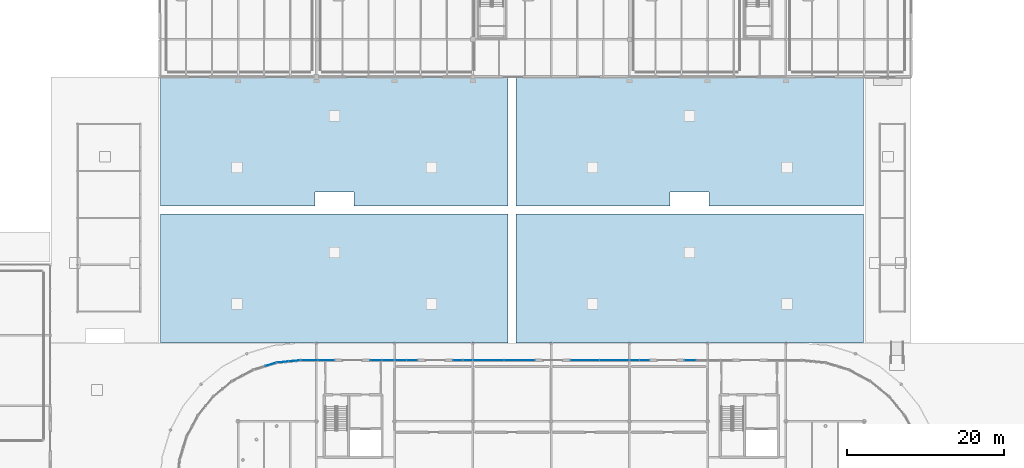
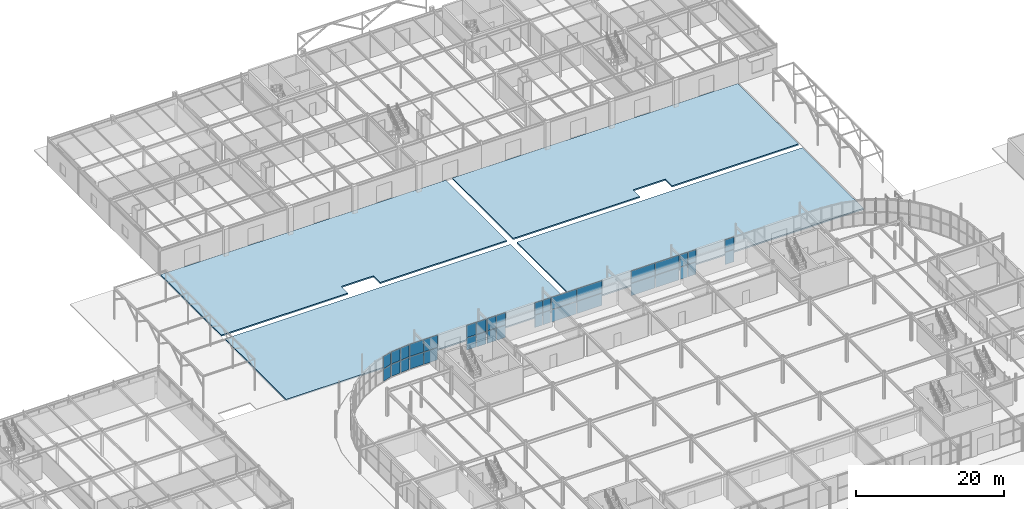
# One storey, part 77 of 119: 36 plates, 4 slabs, 10 elements without a shape of their own.
"""IFC4 building model written with IfcOpenShell, lengths in metres."""

from ifc_helpers import new_model, si_unit, derived_unit, direction, frame, origin, origin_2d_with_axis, place, context, subcontext, project, spatial, polyline, rectangle, outline, extrude, material, layer, layer_set, type_object, element, aggregate, save


model = new_model("IFC4")

# Units and contexts
model_context = context("Model", 3, precision=1e-05, world=origin(), true_north=direction((0.0, 1.0)))
body_context = subcontext(model_context, "Body", "Model", "MODEL_VIEW")
ifc_project = project(units=[si_unit("LENGTHUNIT", "METRE"), si_unit("AREAUNIT", "SQUARE_METRE"), si_unit("VOLUMEUNIT", "CUBIC_METRE"), si_unit("PLANEANGLEUNIT", "RADIAN"), si_unit("MASSUNIT", "GRAM", prefix="KILO"), derived_unit("THERMALTRANSMITTANCEUNIT", [(si_unit("POWERUNIT", "WATT"), 1), (si_unit("LENGTHUNIT", "METRE"), -2), (si_unit("THERMODYNAMICTEMPERATUREUNIT", "KELVIN"), -1)])], contexts=[model_context])

# Site, building, storey
site_placement = place(None, origin())
site = spatial("IfcSite", under=ifc_project, at=site_placement, CompositionType="ELEMENT")
building_placement = place(site_placement, origin())
building = spatial("IfcBuilding", under=site, at=building_placement, Name="Cinnabar Yard Market Hall", CompositionType="ELEMENT")
storey_placement = place(building_placement, origin())
storey = spatial("IfcBuildingStorey", under=building, at=storey_placement, Name="L00", CompositionType="ELEMENT", Elevation=0.0)

# Curtain wall, plates
ifc_material_1 = material(Name="Anodised bronze aluminium and low-E glass", Category="aluminium")
curtain_wall_type_1 = type_object("IfcCurtainWallType", Name="CW-CWH026x42", PredefinedType="NOTDEFINED", material=ifc_material_1)
curtain_wall_1_placement = place(storey_placement, origin())
curtain_wall_1 = element("IfcCurtainWall", 1, at=curtain_wall_1_placement, inside=storey, type_object=curtain_wall_type_1, Name="Market Hall North Ground Glazing B2B", PredefinedType="NOTDEFINED")
ifc_material_2 = material(Name="Low-E laminated glass", Category="glass")
ifc_layer_1 = layer(ifc_material_2, 0.031982421875)
ifc_layer_set_1 = layer_set([ifc_layer_1], Name="Low-E laminated glass")
plate_type_1 = type_object("IfcPlateType", Name="CWP-GP118x200", PredefinedType="CURTAIN_PANEL", material=ifc_layer_set_1)
plate_1_placement = place(storey_placement, frame((105.330078125, 71.800048828125, 0.080078125), z_axis=(0.0, 0.0, 1.0), x_axis=(-1.0, 0.0, 0.0)))
plate_1 = element("IfcPlate", 2, at=plate_1_placement, type_object=plate_type_1, Name="CWH026x42 panel 1.1", PredefinedType="CURTAIN_PANEL", context=body_context, shape_type="SweptSolid", body=[
    extrude(rectangle(XDim=1.179931640625, YDim=0.031982421875, at=origin_2d_with_axis()), origin(), (0.0, 0.0, 1.0), 2.0),
])
plate_2_placement = place(storey_placement, frame((105.330078125, 71.800048828125, 2.159912109375), z_axis=(0.0, 0.0, 1.0), x_axis=(-1.0, 0.0, 0.0)))
plate_2 = element("IfcPlate", 3, at=plate_2_placement, type_object=plate_type_1, Name="CWH026x42 panel 1.2", PredefinedType="CURTAIN_PANEL", context=body_context, shape_type="SweptSolid", body=[
    extrude(rectangle(XDim=1.179931640625, YDim=0.031982421875, at=origin_2d_with_axis()), origin(), (0.0, 0.0, 1.0), 2.0),
])
plate_3_placement = place(storey_placement, frame((104.070068359375, 71.800048828125, 0.080078125), z_axis=(0.0, 0.0, 1.0), x_axis=(-1.0, 0.0, 0.0)))
plate_3 = element("IfcPlate", 4, at=plate_3_placement, type_object=plate_type_1, Name="CWH026x42 panel 2.1", PredefinedType="CURTAIN_PANEL", context=body_context, shape_type="SweptSolid", body=[
    extrude(rectangle(XDim=1.179931640625, YDim=0.031982421875, at=origin_2d_with_axis()), origin(), (0.0, 0.0, 1.0), 2.0),
])
plate_4_placement = place(storey_placement, frame((104.070068359375, 71.800048828125, 2.159912109375), z_axis=(0.0, 0.0, 1.0), x_axis=(-1.0, 0.0, 0.0)))
plate_4 = element("IfcPlate", 5, at=plate_4_placement, type_object=plate_type_1, Name="CWH026x42 panel 2.2", PredefinedType="CURTAIN_PANEL", context=body_context, shape_type="SweptSolid", body=[
    extrude(rectangle(XDim=1.179931640625, YDim=0.031982421875, at=origin_2d_with_axis()), origin(), (0.0, 0.0, 1.0), 2.0),
])
aggregate(curtain_wall_1, [plate_1, plate_2, plate_3, plate_4])

curtain_wall_2_placement = place(storey_placement, origin())
curtain_wall_2 = element("IfcCurtainWall", 6, at=curtain_wall_2_placement, inside=storey, type_object=curtain_wall_type_1, Name="Market Hall North Ground Glazing B5A", PredefinedType="NOTDEFINED")
plate_5_placement = place(storey_placement, frame((127.929931640625, 71.800048828125, 0.080078125), z_axis=(0.0, 0.0, 1.0), x_axis=(-1.0, 0.0, 0.0)))
plate_5 = element("IfcPlate", 7, at=plate_5_placement, type_object=plate_type_1, Name="CWH026x42 panel 1.1", PredefinedType="CURTAIN_PANEL", context=body_context, shape_type="SweptSolid", body=[
    extrude(rectangle(XDim=1.179931640625, YDim=0.031982421875, at=origin_2d_with_axis()), origin(), (0.0, 0.0, 1.0), 2.0),
])
plate_6_placement = place(storey_placement, frame((127.929931640625, 71.800048828125, 2.159912109375), z_axis=(0.0, 0.0, 1.0), x_axis=(-1.0, 0.0, 0.0)))
plate_6 = element("IfcPlate", 8, at=plate_6_placement, type_object=plate_type_1, Name="CWH026x42 panel 1.2", PredefinedType="CURTAIN_PANEL", context=body_context, shape_type="SweptSolid", body=[
    extrude(rectangle(XDim=1.179931640625, YDim=0.031982421875, at=origin_2d_with_axis()), origin(), (0.0, 0.0, 1.0), 2.0),
])
plate_7_placement = place(storey_placement, frame((126.669921875, 71.800048828125, 0.080078125), z_axis=(0.0, 0.0, 1.0), x_axis=(-1.0, 0.0, 0.0)))
plate_7 = element("IfcPlate", 9, at=plate_7_placement, type_object=plate_type_1, Name="CWH026x42 panel 2.1", PredefinedType="CURTAIN_PANEL", context=body_context, shape_type="SweptSolid", body=[
    extrude(rectangle(XDim=1.179931640625, YDim=0.031982421875, at=origin_2d_with_axis()), origin(), (0.0, 0.0, 1.0), 2.0),
])
plate_8_placement = place(storey_placement, frame((126.669921875, 71.800048828125, 2.159912109375), z_axis=(0.0, 0.0, 1.0), x_axis=(-1.0, 0.0, 0.0)))
plate_8 = element("IfcPlate", 10, at=plate_8_placement, type_object=plate_type_1, Name="CWH026x42 panel 2.2", PredefinedType="CURTAIN_PANEL", context=body_context, shape_type="SweptSolid", body=[
    extrude(rectangle(XDim=1.179931640625, YDim=0.031982421875, at=origin_2d_with_axis()), origin(), (0.0, 0.0, 1.0), 2.0),
])
aggregate(curtain_wall_2, [plate_5, plate_6, plate_7, plate_8])

curtain_wall_type_2 = type_object("IfcCurtainWallType", Name="CW-CWH030x42", PredefinedType="NOTDEFINED", material=ifc_material_1)
curtain_wall_3_placement = place(storey_placement, origin())
curtain_wall_3 = element("IfcCurtainWall", 11, at=curtain_wall_3_placement, inside=storey, type_object=curtain_wall_type_2, Name="Market Hall North Ground Glazing B2A", PredefinedType="NOTDEFINED")
ifc_layer_2 = layer(ifc_material_2, 0.031982421875)
ifc_layer_set_2 = layer_set([ifc_layer_2], Name="Low-E laminated glass")
plate_type_2 = type_object("IfcPlateType", Name="CWP-GP138x200", PredefinedType="CURTAIN_PANEL", material=ifc_layer_set_2)
plate_9_placement = place(storey_placement, frame((98.22998046875, 71.800048828125, 0.080078125), z_axis=(0.0, 0.0, 1.0), x_axis=(-1.0, 0.0, 0.0)))
plate_9 = element("IfcPlate", 12, at=plate_9_placement, type_object=plate_type_2, Name="CWH030x42 panel 1.1", PredefinedType="CURTAIN_PANEL", context=body_context, shape_type="SweptSolid", body=[
    extrude(rectangle(XDim=1.3798828125, YDim=0.031982421875, at=origin_2d_with_axis()), origin(), (0.0, 0.0, 1.0), 2.0),
])
plate_10_placement = place(storey_placement, frame((98.22998046875, 71.800048828125, 2.159912109375), z_axis=(0.0, 0.0, 1.0), x_axis=(-1.0, 0.0, 0.0)))
plate_10 = element("IfcPlate", 13, at=plate_10_placement, type_object=plate_type_2, Name="CWH030x42 panel 1.2", PredefinedType="CURTAIN_PANEL", context=body_context, shape_type="SweptSolid", body=[
    extrude(rectangle(XDim=1.3798828125, YDim=0.031982421875, at=origin_2d_with_axis()), origin(), (0.0, 0.0, 1.0), 2.0),
])
plate_11_placement = place(storey_placement, frame((96.77001953125, 71.800048828125, 0.080078125), z_axis=(0.0, 0.0, 1.0), x_axis=(-1.0, 0.0, 0.0)))
plate_11 = element("IfcPlate", 14, at=plate_11_placement, type_object=plate_type_2, Name="CWH030x42 panel 2.1", PredefinedType="CURTAIN_PANEL", context=body_context, shape_type="SweptSolid", body=[
    extrude(rectangle(XDim=1.3798828125, YDim=0.031982421875, at=origin_2d_with_axis()), origin(), (0.0, 0.0, 1.0), 2.0),
])
plate_12_placement = place(storey_placement, frame((96.77001953125, 71.800048828125, 2.159912109375), z_axis=(0.0, 0.0, 1.0), x_axis=(-1.0, 0.0, 0.0)))
plate_12 = element("IfcPlate", 15, at=plate_12_placement, type_object=plate_type_2, Name="CWH030x42 panel 2.2", PredefinedType="CURTAIN_PANEL", context=body_context, shape_type="SweptSolid", body=[
    extrude(rectangle(XDim=1.3798828125, YDim=0.031982421875, at=origin_2d_with_axis()), origin(), (0.0, 0.0, 1.0), 2.0),
])
aggregate(curtain_wall_3, [plate_9, plate_10, plate_11, plate_12])

curtain_wall_4_placement = place(storey_placement, origin())
curtain_wall_4 = element("IfcCurtainWall", 16, at=curtain_wall_4_placement, inside=storey, type_object=curtain_wall_type_2, Name="Market Hall North Ground Glazing B5B", PredefinedType="NOTDEFINED")
plate_13_placement = place(storey_placement, frame((133.77001953125, 71.800048828125, 0.080078125), z_axis=(0.0, 0.0, 1.0), x_axis=(-1.0, 0.0, 0.0)))
plate_13 = element("IfcPlate", 17, at=plate_13_placement, type_object=plate_type_2, Name="CWH030x42 panel 2.1", PredefinedType="CURTAIN_PANEL", context=body_context, shape_type="SweptSolid", body=[
    extrude(rectangle(XDim=1.3798828125, YDim=0.031982421875, at=origin_2d_with_axis()), origin(), (0.0, 0.0, 1.0), 2.0),
])
plate_14_placement = place(storey_placement, frame((133.77001953125, 71.800048828125, 2.159912109375), z_axis=(0.0, 0.0, 1.0), x_axis=(-1.0, 0.0, 0.0)))
plate_14 = element("IfcPlate", 18, at=plate_14_placement, type_object=plate_type_2, Name="CWH030x42 panel 2.2", PredefinedType="CURTAIN_PANEL", context=body_context, shape_type="SweptSolid", body=[
    extrude(rectangle(XDim=1.3798828125, YDim=0.031982421875, at=origin_2d_with_axis()), origin(), (0.0, 0.0, 1.0), 2.0),
])
aggregate(curtain_wall_4, [plate_13, plate_14])

ifc_material_3 = material(Name="Anodised bronze aluminium curved-chord facade", Category="aluminium")
curtain_wall_type_3 = type_object("IfcCurtainWallType", Name="CW-CWC031x42", PredefinedType="NOTDEFINED", material=ifc_material_3)
curtain_wall_5_placement = place(storey_placement, origin())
curtain_wall_5 = element("IfcCurtainWall", 19, at=curtain_wall_5_placement, inside=storey, type_object=curtain_wall_type_3, Name="Corner NW Chord 1 L00", PredefinedType="NOTDEFINED")
ifc_layer_3 = layer(ifc_material_2, 0.031982421875)
ifc_layer_set_3 = layer_set([ifc_layer_3], Name="Low-E laminated glass")
plate_type_3 = type_object("IfcPlateType", Name="CWP-GP141x199", PredefinedType="CURTAIN_PANEL", material=ifc_layer_set_3)
plate_15_placement = place(storey_placement, frame((83.20703125, 71.721923828125, 0.08984375), z_axis=(0.0, 0.0, 1.0), x_axis=(-0.995184408637, -0.098020369342, 0.0)))
plate_15 = element("IfcPlate", 20, at=plate_15_placement, type_object=plate_type_3, Name="CWC031x42 panel 1.1", PredefinedType="CURTAIN_PANEL", context=body_context, shape_type="SweptSolid", body=[
    extrude(rectangle(XDim=1.41357421875, YDim=0.031982421875, at=origin_2d_with_axis()), origin(), (0.0, 0.0, 1.0), 1.985107421875),
])
plate_16_placement = place(storey_placement, frame((83.20703125, 71.721923828125, 2.1650390625), z_axis=(0.0, 0.0, 1.0), x_axis=(-0.995184408637, -0.098020369342, 0.0)))
plate_16 = element("IfcPlate", 21, at=plate_16_placement, type_object=plate_type_3, Name="CWC031x42 panel 1.2", PredefinedType="CURTAIN_PANEL", context=body_context, shape_type="SweptSolid", body=[
    extrude(rectangle(XDim=1.41357421875, YDim=0.031982421875, at=origin_2d_with_axis()), origin(), (0.0, 0.0, 1.0), 1.985107421875),
])
plate_17_placement = place(storey_placement, frame((81.710693359375, 71.574462890625, 0.08984375), z_axis=(0.0, 0.0, 1.0), x_axis=(-0.995184408637, -0.098020369342, 0.0)))
plate_17 = element("IfcPlate", 22, at=plate_17_placement, type_object=plate_type_3, Name="CWC031x42 panel 2.1", PredefinedType="CURTAIN_PANEL", context=body_context, shape_type="SweptSolid", body=[
    extrude(rectangle(XDim=1.41357421875, YDim=0.031982421875, at=origin_2d_with_axis()), origin(), (0.0, 0.0, 1.0), 1.985107421875),
])
plate_18_placement = place(storey_placement, frame((81.710693359375, 71.574462890625, 2.1650390625), z_axis=(0.0, 0.0, 1.0), x_axis=(-0.995184408637, -0.098020369342, 0.0)))
plate_18 = element("IfcPlate", 23, at=plate_18_placement, type_object=plate_type_3, Name="CWC031x42 panel 2.2", PredefinedType="CURTAIN_PANEL", context=body_context, shape_type="SweptSolid", body=[
    extrude(rectangle(XDim=1.41357421875, YDim=0.031982421875, at=origin_2d_with_axis()), origin(), (0.0, 0.0, 1.0), 1.985107421875),
])
aggregate(curtain_wall_5, [plate_15, plate_16, plate_17, plate_18])

curtain_wall_6_placement = place(storey_placement, origin())
curtain_wall_6 = element("IfcCurtainWall", 24, at=curtain_wall_6_placement, inside=storey, type_object=curtain_wall_type_3, Name="Corner NW Chord 2 L00", PredefinedType="NOTDEFINED")
plate_19_placement = place(storey_placement, frame((80.155029296875, 71.26513671875, 0.08984375), z_axis=(0.0, 0.0, 1.0), x_axis=(-0.956942090856, -0.290278891325, 0.0)))
plate_19 = element("IfcPlate", 25, at=plate_19_placement, type_object=plate_type_3, Name="CWC031x42 panel 1.1", PredefinedType="CURTAIN_PANEL", context=body_context, shape_type="SweptSolid", body=[
    extrude(rectangle(XDim=1.41357421875, YDim=0.031982421875, at=origin_2d_with_axis()), origin(), (0.0, 0.0, 1.0), 1.985107421875),
])
plate_20_placement = place(storey_placement, frame((80.155029296875, 71.26513671875, 2.1650390625), z_axis=(0.0, 0.0, 1.0), x_axis=(-0.956942090856, -0.290278891325, 0.0)))
plate_20 = element("IfcPlate", 26, at=plate_20_placement, type_object=plate_type_3, Name="CWC031x42 panel 1.2", PredefinedType="CURTAIN_PANEL", context=body_context, shape_type="SweptSolid", body=[
    extrude(rectangle(XDim=1.41357421875, YDim=0.031982421875, at=origin_2d_with_axis()), origin(), (0.0, 0.0, 1.0), 1.985107421875),
])
aggregate(curtain_wall_6, [plate_19, plate_20])

curtain_wall_type_4 = type_object("IfcCurtainWallType", Name="CW-CWH032x42", PredefinedType="NOTDEFINED", material=ifc_material_1)
curtain_wall_7_placement = place(storey_placement, origin())
curtain_wall_7 = element("IfcCurtainWall", 27, at=curtain_wall_7_placement, inside=storey, type_object=curtain_wall_type_4, Name="Market Hall North Ground Glazing B1B", PredefinedType="NOTDEFINED")
ifc_layer_4 = layer(ifc_material_2, 0.031982421875)
ifc_layer_set_4 = layer_set([ifc_layer_4], Name="Low-E laminated glass")
plate_type_4 = type_object("IfcPlateType", Name="CWP-GP148x200", PredefinedType="CURTAIN_PANEL", material=ifc_layer_set_4)
plate_21_placement = place(storey_placement, frame((95.179931640625, 71.800048828125, 0.080078125), z_axis=(0.0, 0.0, 1.0), x_axis=(-1.0, 0.0, 0.0)))
plate_21 = element("IfcPlate", 28, at=plate_21_placement, type_object=plate_type_4, Name="CWH032x42 panel 1.1", PredefinedType="CURTAIN_PANEL", context=body_context, shape_type="SweptSolid", body=[
    extrude(rectangle(XDim=1.47998046875, YDim=0.031982421875, at=origin_2d_with_axis()), origin(), (0.0, 0.0, 1.0), 2.0),
])
plate_22_placement = place(storey_placement, frame((95.179931640625, 71.800048828125, 2.159912109375), z_axis=(0.0, 0.0, 1.0), x_axis=(-1.0, 0.0, 0.0)))
plate_22 = element("IfcPlate", 29, at=plate_22_placement, type_object=plate_type_4, Name="CWH032x42 panel 1.2", PredefinedType="CURTAIN_PANEL", context=body_context, shape_type="SweptSolid", body=[
    extrude(rectangle(XDim=1.47998046875, YDim=0.031982421875, at=origin_2d_with_axis()), origin(), (0.0, 0.0, 1.0), 2.0),
])
plate_23_placement = place(storey_placement, frame((93.6201171875, 71.800048828125, 0.080078125), z_axis=(0.0, 0.0, 1.0), x_axis=(-1.0, 0.0, 0.0)))
plate_23 = element("IfcPlate", 30, at=plate_23_placement, type_object=plate_type_4, Name="CWH032x42 panel 2.1", PredefinedType="CURTAIN_PANEL", context=body_context, shape_type="SweptSolid", body=[
    extrude(rectangle(XDim=1.47998046875, YDim=0.031982421875, at=origin_2d_with_axis()), origin(), (0.0, 0.0, 1.0), 2.0),
])
plate_24_placement = place(storey_placement, frame((93.6201171875, 71.800048828125, 2.159912109375), z_axis=(0.0, 0.0, 1.0), x_axis=(-1.0, 0.0, 0.0)))
plate_24 = element("IfcPlate", 31, at=plate_24_placement, type_object=plate_type_4, Name="CWH032x42 panel 2.2", PredefinedType="CURTAIN_PANEL", context=body_context, shape_type="SweptSolid", body=[
    extrude(rectangle(XDim=1.47998046875, YDim=0.031982421875, at=origin_2d_with_axis()), origin(), (0.0, 0.0, 1.0), 2.0),
])
aggregate(curtain_wall_7, [plate_21, plate_22, plate_23, plate_24])

curtain_wall_type_5 = type_object("IfcCurtainWallType", Name="CW-CWH044x42", PredefinedType="NOTDEFINED", material=ifc_material_1)
curtain_wall_8_placement = place(storey_placement, origin())
curtain_wall_8 = element("IfcCurtainWall", 32, at=curtain_wall_8_placement, inside=storey, type_object=curtain_wall_type_5, Name="Market Hall North Ground Glazing B1A", PredefinedType="NOTDEFINED")
ifc_layer_5 = layer(ifc_material_2, 0.031982421875)
ifc_layer_set_5 = layer_set([ifc_layer_5], Name="Low-E laminated glass")
plate_type_5 = type_object("IfcPlateType", Name="CWP-GP208x200", PredefinedType="CURTAIN_PANEL", material=ifc_layer_set_5)
plate_25_placement = place(storey_placement, frame((87.280029296875, 71.800048828125, 0.080078125), z_axis=(0.0, 0.0, 1.0), x_axis=(-1.0, 0.0, 0.0)))
plate_25 = element("IfcPlate", 33, at=plate_25_placement, type_object=plate_type_5, Name="CWH044x42 panel 1.1", PredefinedType="CURTAIN_PANEL", context=body_context, shape_type="SweptSolid", body=[
    extrude(rectangle(XDim=2.080078125, YDim=0.031982421875, at=origin_2d_with_axis()), origin(), (0.0, 0.0, 1.0), 2.0),
])
plate_26_placement = place(storey_placement, frame((87.280029296875, 71.800048828125, 2.159912109375), z_axis=(0.0, 0.0, 1.0), x_axis=(-1.0, 0.0, 0.0)))
plate_26 = element("IfcPlate", 34, at=plate_26_placement, type_object=plate_type_5, Name="CWH044x42 panel 1.2", PredefinedType="CURTAIN_PANEL", context=body_context, shape_type="SweptSolid", body=[
    extrude(rectangle(XDim=2.080078125, YDim=0.031982421875, at=origin_2d_with_axis()), origin(), (0.0, 0.0, 1.0), 2.0),
])
plate_27_placement = place(storey_placement, frame((85.1201171875, 71.800048828125, 0.080078125), z_axis=(0.0, 0.0, 1.0), x_axis=(-1.0, 0.0, 0.0)))
plate_27 = element("IfcPlate", 35, at=plate_27_placement, type_object=plate_type_5, Name="CWH044x42 panel 2.1", PredefinedType="CURTAIN_PANEL", context=body_context, shape_type="SweptSolid", body=[
    extrude(rectangle(XDim=2.080078125, YDim=0.031982421875, at=origin_2d_with_axis()), origin(), (0.0, 0.0, 1.0), 2.0),
])
plate_28_placement = place(storey_placement, frame((85.1201171875, 71.800048828125, 2.159912109375), z_axis=(0.0, 0.0, 1.0), x_axis=(-1.0, 0.0, 0.0)))
plate_28 = element("IfcPlate", 36, at=plate_28_placement, type_object=plate_type_5, Name="CWH044x42 panel 2.2", PredefinedType="CURTAIN_PANEL", context=body_context, shape_type="SweptSolid", body=[
    extrude(rectangle(XDim=2.080078125, YDim=0.031982421875, at=origin_2d_with_axis()), origin(), (0.0, 0.0, 1.0), 2.0),
])
aggregate(curtain_wall_8, [plate_25, plate_26, plate_27, plate_28])

curtain_wall_type_6 = type_object("IfcCurtainWallType", Name="CW-CWH076x42", PredefinedType="NOTDEFINED", material=ifc_material_1)
curtain_wall_9_placement = place(storey_placement, origin())
curtain_wall_9 = element("IfcCurtainWall", 37, at=curtain_wall_9_placement, inside=storey, type_object=curtain_wall_type_6, Name="Market Hall North Ground Glazing B4", PredefinedType="NOTDEFINED")
ifc_layer_6 = layer(ifc_material_2, 0.031982421875)
ifc_layer_set_6 = layer_set([ifc_layer_6], Name="Low-E laminated glass")
plate_type_6 = type_object("IfcPlateType", Name="CWP-GP368x200", PredefinedType="CURTAIN_PANEL", material=ifc_layer_set_6)
plate_29_placement = place(storey_placement, frame((124.080078125, 71.800048828125, 0.080078125), z_axis=(0.0, 0.0, 1.0), x_axis=(-1.0, 0.0, 0.0)))
plate_29 = element("IfcPlate", 38, at=plate_29_placement, type_object=plate_type_6, Name="CWH076x42 panel 1.1", PredefinedType="CURTAIN_PANEL", context=body_context, shape_type="SweptSolid", body=[
    extrude(rectangle(XDim=3.679931640625, YDim=0.031982421875, at=origin_2d_with_axis()), origin(), (0.0, 0.0, 1.0), 2.0),
])
plate_30_placement = place(storey_placement, frame((124.080078125, 71.800048828125, 2.159912109375), z_axis=(0.0, 0.0, 1.0), x_axis=(-1.0, 0.0, 0.0)))
plate_30 = element("IfcPlate", 39, at=plate_30_placement, type_object=plate_type_6, Name="CWH076x42 panel 1.2", PredefinedType="CURTAIN_PANEL", context=body_context, shape_type="SweptSolid", body=[
    extrude(rectangle(XDim=3.679931640625, YDim=0.031982421875, at=origin_2d_with_axis()), origin(), (0.0, 0.0, 1.0), 2.0),
])
plate_31_placement = place(storey_placement, frame((120.320068359375, 71.800048828125, 0.080078125), z_axis=(0.0, 0.0, 1.0), x_axis=(-1.0, 0.0, 0.0)))
plate_31 = element("IfcPlate", 40, at=plate_31_placement, type_object=plate_type_6, Name="CWH076x42 panel 2.1", PredefinedType="CURTAIN_PANEL", context=body_context, shape_type="SweptSolid", body=[
    extrude(rectangle(XDim=3.679931640625, YDim=0.031982421875, at=origin_2d_with_axis()), origin(), (0.0, 0.0, 1.0), 2.0),
])
plate_32_placement = place(storey_placement, frame((120.320068359375, 71.800048828125, 2.159912109375), z_axis=(0.0, 0.0, 1.0), x_axis=(-1.0, 0.0, 0.0)))
plate_32 = element("IfcPlate", 41, at=plate_32_placement, type_object=plate_type_6, Name="CWH076x42 panel 2.2", PredefinedType="CURTAIN_PANEL", context=body_context, shape_type="SweptSolid", body=[
    extrude(rectangle(XDim=3.679931640625, YDim=0.031982421875, at=origin_2d_with_axis()), origin(), (0.0, 0.0, 1.0), 2.0),
])
aggregate(curtain_wall_9, [plate_29, plate_30, plate_31, plate_32])

curtain_wall_type_7 = type_object("IfcCurtainWallType", Name="CW-CWH080x42", PredefinedType="NOTDEFINED", material=ifc_material_1)
curtain_wall_10_placement = place(storey_placement, origin())
curtain_wall_10 = element("IfcCurtainWall", 42, at=curtain_wall_10_placement, inside=storey, type_object=curtain_wall_type_7, Name="Market Hall North Ground Glazing B3", PredefinedType="NOTDEFINED")
ifc_layer_7 = layer(ifc_material_2, 0.031982421875)
ifc_layer_set_7 = layer_set([ifc_layer_7], Name="Low-E laminated glass")
plate_type_7 = type_object("IfcPlateType", Name="CWP-GP388x200", PredefinedType="CURTAIN_PANEL", material=ifc_layer_set_7)
plate_33_placement = place(storey_placement, frame((111.97998046875, 71.800048828125, 0.080078125), z_axis=(0.0, 0.0, 1.0), x_axis=(-1.0, 0.0, 0.0)))
plate_33 = element("IfcPlate", 43, at=plate_33_placement, type_object=plate_type_7, Name="CWH080x42 panel 1.1", PredefinedType="CURTAIN_PANEL", context=body_context, shape_type="SweptSolid", body=[
    extrude(rectangle(XDim=3.8798828125, YDim=0.031982421875, at=origin_2d_with_axis()), origin(), (0.0, 0.0, 1.0), 2.0),
])
plate_34_placement = place(storey_placement, frame((111.97998046875, 71.800048828125, 2.159912109375), z_axis=(0.0, 0.0, 1.0), x_axis=(-1.0, 0.0, 0.0)))
plate_34 = element("IfcPlate", 44, at=plate_34_placement, type_object=plate_type_7, Name="CWH080x42 panel 1.2", PredefinedType="CURTAIN_PANEL", context=body_context, shape_type="SweptSolid", body=[
    extrude(rectangle(XDim=3.8798828125, YDim=0.031982421875, at=origin_2d_with_axis()), origin(), (0.0, 0.0, 1.0), 2.0),
])
plate_35_placement = place(storey_placement, frame((108.02001953125, 71.800048828125, 0.080078125), z_axis=(0.0, 0.0, 1.0), x_axis=(-1.0, 0.0, 0.0)))
plate_35 = element("IfcPlate", 45, at=plate_35_placement, type_object=plate_type_7, Name="CWH080x42 panel 2.1", PredefinedType="CURTAIN_PANEL", context=body_context, shape_type="SweptSolid", body=[
    extrude(rectangle(XDim=3.8798828125, YDim=0.031982421875, at=origin_2d_with_axis()), origin(), (0.0, 0.0, 1.0), 2.0),
])
plate_36_placement = place(storey_placement, frame((108.02001953125, 71.800048828125, 2.159912109375), z_axis=(0.0, 0.0, 1.0), x_axis=(-1.0, 0.0, 0.0)))
plate_36 = element("IfcPlate", 46, at=plate_36_placement, type_object=plate_type_7, Name="CWH080x42 panel 2.2", PredefinedType="CURTAIN_PANEL", context=body_context, shape_type="SweptSolid", body=[
    extrude(rectangle(XDim=3.8798828125, YDim=0.031982421875, at=origin_2d_with_axis()), origin(), (0.0, 0.0, 1.0), 2.0),
])
aggregate(curtain_wall_10, [plate_33, plate_34, plate_35, plate_36])

# Slabs
ifc_material_4 = material(Name="Concrete 40 MPa", Category="concrete")
ifc_layer_8 = layer(ifc_material_4, 0.219970703125)
ifc_layer_set_8 = layer_set([ifc_layer_8], Name="Concrete 40 MPa")
slab_type = type_object("IfcSlabType", Name="SL-APRON", PredefinedType="BASESLAB", material=ifc_layer_set_8)
slab_1_placement = place(storey_placement, frame((0.0, 0.0, -0.219970703125)))
element("IfcSlab", 47, at=slab_1_placement, inside=storey, type_object=slab_type, Name="Charbagh SW Quadrant Paving", PredefinedType="BASESLAB", context=body_context, shape_type="SweptSolid", body=[
    extrude(outline(polyline([(66.10009765625, 74.02001953125), (110.5, 74.02001953125), (110.5, 90.5), (66.10009765625, 90.5), (66.10009765625, 74.02001953125)])), origin(), (0.0, 0.0, 1.0), 0.219970703125),
])
slab_2_placement = place(storey_placement, frame((0.0, 0.0, -0.219970703125)))
element("IfcSlab", 48, at=slab_2_placement, inside=storey, type_object=slab_type, Name="Charbagh SE Quadrant Paving", PredefinedType="BASESLAB", context=body_context, shape_type="SweptSolid", body=[
    extrude(outline(polyline([(111.5, 74.02001953125), (155.89990234375, 74.02001953125), (155.89990234375, 90.5), (111.5, 90.5), (111.5, 74.02001953125)])), origin(), (0.0, 0.0, 1.0), 0.219970703125),
])
slab_3_placement = place(storey_placement, frame((0.0, 0.0, -0.219970703125)))
element("IfcSlab", 49, at=slab_3_placement, inside=storey, type_object=slab_type, Name="Charbagh NW Quadrant Paving", PredefinedType="BASESLAB", context=body_context, shape_type="SweptSolid", body=[
    extrude(outline(polyline([(66.10009765625, 91.5), (85.800048828125, 91.5), (85.800048828125, 93.300048828125), (90.800048828125, 93.300048828125), (90.800048828125, 91.5), (110.5, 91.5), (110.5, 107.89990234375), (66.10009765625, 107.89990234375), (66.10009765625, 91.5)])), origin(), (0.0, 0.0, 1.0), 0.219970703125),
])
slab_4_placement = place(storey_placement, frame((0.0, 0.0, -0.219970703125)))
element("IfcSlab", 50, at=slab_4_placement, inside=storey, type_object=slab_type, Name="Charbagh NE Quadrant Paving", PredefinedType="BASESLAB", context=body_context, shape_type="SweptSolid", body=[
    extrude(outline(polyline([(111.5, 91.5), (131.199951171875, 91.5), (131.199951171875, 93.300048828125), (136.199951171875, 93.300048828125), (136.199951171875, 91.5), (155.89990234375, 91.5), (155.89990234375, 107.89990234375), (111.5, 107.89990234375), (111.5, 91.5)])), origin(), (0.0, 0.0, 1.0), 0.219970703125),
])

save(model, "model.ifc")
